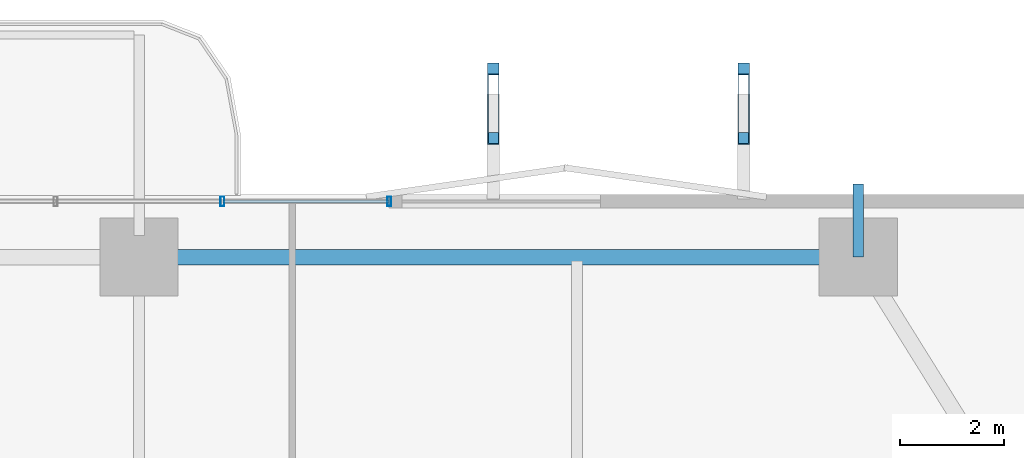
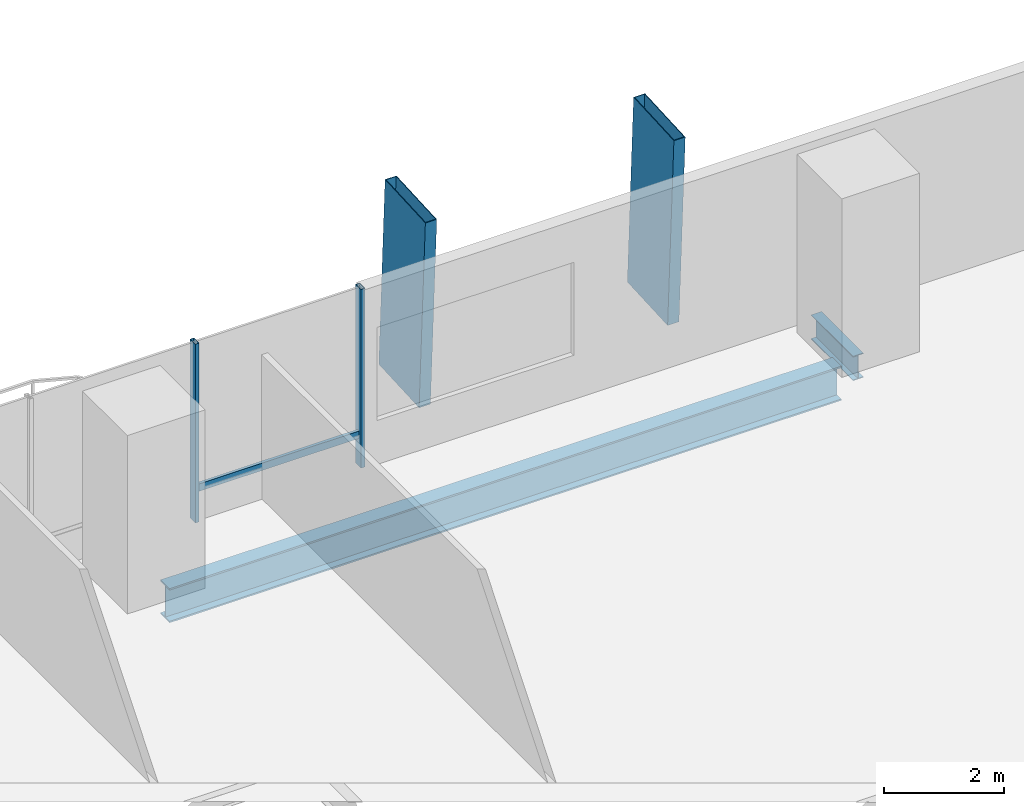
# One storey, part 15 of 24: 5 members, 2 beams, 1 element without a shape of its own.
"""IFC4 building model written with IfcOpenShell, lengths in metres."""

import ifcopenshell
import ifcopenshell.guid

model = None  # the IFC model being written
_history = None  # IfcOwnerHistory: only IFC2X3 demands one
_inside = {}  # id of a spatial element -> (the spatial element, [elements in it])
_under = {}  # id of a project, library or spatial element -> (it, [spatial elements below it])
_declared = {}  # id of a project -> (the project, [libraries it declares])
_typed = {}  # id of a type object -> (the type object, [elements of that type])
_made_of = {}  # id of a material, layer set ... -> (it, [elements and type objects made of it])


def new_model(schema):
    """Start an empty IFC model of exactly this schema.

    Asked for "IFC4X3", IfcOpenShell would pick the latest addendum, in which some entities
    have other attributes; the version numbers below select the first issue.
    IFC2X3 requires an IfcOwnerHistory on every rooted entity: one is made here for all.
    """
    global model, _history
    if schema == "IFC4X3":
        model = ifcopenshell.file(schema_version=(4, 3, 0, 0))
    else:
        model = ifcopenshell.file(schema=schema)
    _inside.clear()
    _under.clear()
    _declared.clear()
    _typed.clear()
    _made_of.clear()
    _history = None
    if model.schema == "IFC2X3":
        org = make("IfcOrganization", Name="unknown")
        user = make(
            "IfcPersonAndOrganization",
            ThePerson=make("IfcPerson", FamilyName="unknown"),
            TheOrganization=org,
        )
        app = make(
            "IfcApplication",
            ApplicationDeveloper=org,
            Version="unknown",
            ApplicationFullName="unknown",
            ApplicationIdentifier="unknown",
        )
        _history = make(
            "IfcOwnerHistory",
            OwningUser=user,
            OwningApplication=app,
            ChangeAction="ADDED",
            CreationDate=0,
        )
    return model


def make(cls, **values):
    """One entity of the class cls with the attributes given. An attribute that is None is left unset."""
    return model.create_entity(
        cls, **{name: value for name, value in values.items() if value is not None}
    )


def rooted(cls, **values):
    """An entity with a GlobalId (a new one), such as an element, a storey or a relation."""
    return make(cls, GlobalId=ifcopenshell.guid.new(), OwnerHistory=_history, **values)


def si_unit(unit_type, name, prefix=None):
    """IfcSIUnit, for example si_unit("LENGTHUNIT", "METRE", prefix="MILLI")."""
    return make("IfcSIUnit", UnitType=unit_type, Prefix=prefix, Name=name)


def assignment(units):
    """IfcUnitAssignment: the units of a project."""
    return None if units is None else make("IfcUnitAssignment", Units=units)


def point(xyz):
    """IfcCartesianPoint."""
    return None if xyz is None else make("IfcCartesianPoint", Coordinates=xyz)


def direction(xyz):
    """IfcDirection."""
    return None if xyz is None else make("IfcDirection", DirectionRatios=xyz)


def frame(location, z_axis=None, x_axis=None):
    """IfcAxis2Placement3D, a coordinate frame: its origin and axes. An axis left out is left unset."""
    return make(
        "IfcAxis2Placement3D",
        Location=point(location),
        Axis=direction(z_axis),
        RefDirection=direction(x_axis),
    )


def frame_2d(location, x_axis=None):
    """IfcAxis2Placement2D, a coordinate frame in the plane: its origin and x axis."""
    return make(
        "IfcAxis2Placement2D", Location=point(location), RefDirection=direction(x_axis)
    )


def origin():
    """The frame at (0, 0, 0) with its axes left unset."""
    return frame((0.0, 0.0, 0.0))


def origin_2d():
    """The frame at (0, 0) in the plane with its x axis left unset."""
    return frame_2d((0.0, 0.0))


def place(relative_to, where):
    """IfcLocalPlacement: puts the frame where relative to a parent placement (None: the world)."""
    return make(
        "IfcLocalPlacement", PlacementRelTo=relative_to, RelativePlacement=where
    )


def context(
    kind, dimensions, precision=None, world=None, true_north=None, identifier=None
):
    """IfcGeometricRepresentationContext, for example the 3D "Model" context."""
    return make(
        "IfcGeometricRepresentationContext",
        ContextIdentifier=identifier,
        ContextType=kind,
        CoordinateSpaceDimension=dimensions,
        Precision=precision,
        WorldCoordinateSystem=world,
        TrueNorth=true_north,
    )


def subcontext(parent, identifier, kind, view, scale=None):
    """IfcGeometricRepresentationSubContext, for example "Body" below "Model"."""
    return make(
        "IfcGeometricRepresentationSubContext",
        ContextIdentifier=identifier,
        ContextType=kind,
        ParentContext=parent,
        TargetScale=scale,
        TargetView=view,
    )


def project(units=None, contexts=None):
    """IfcProject with its units and contexts."""
    return rooted(
        "IfcProject",
        Name="project",
        RepresentationContexts=contexts,
        UnitsInContext=assignment(units),
    )


def spatial(cls, under=None, at=None, **own):
    """A site, building, storey or space (cls), placed at a placement, below another one or the project."""
    s = rooted(cls, ObjectPlacement=at, **own)
    if under is not None:
        _under.setdefault(under.id(), (under, []))[1].append(s)
    return s


def profile(cls, at=None, kind="AREA", **sizes):
    """A parametric profile (cls). Its sizes go by their IFC names, for example OverallWidth=200.0."""
    return make(cls, ProfileType=kind, Position=at, **sizes)


def hollow_rectangle(**sizes):
    """IfcRectangleHollowProfileDef."""
    return profile("IfcRectangleHollowProfileDef", **sizes)


def i_section(**sizes):
    """IfcIShapeProfileDef."""
    return profile("IfcIShapeProfileDef", **sizes)


def extrude(swept, where, along, depth):
    """IfcExtrudedAreaSolid: the profile swept, set in the frame where, extruded along a direction by depth."""
    return make(
        "IfcExtrudedAreaSolid",
        SweptArea=swept,
        Position=where,
        ExtrudedDirection=direction(along),
        Depth=depth,
    )


def shape(context_of_items, identifier, shape_type, items):
    """IfcShapeRepresentation: the items that make up one representation, for example the "Body"."""
    return make(
        "IfcShapeRepresentation",
        ContextOfItems=context_of_items,
        RepresentationIdentifier=identifier,
        RepresentationType=shape_type,
        Items=items,
    )


def material(Name=None, Category=None):
    """IfcMaterial."""
    return make("IfcMaterial", Name=Name, Category=Category)


def layer(
    of_material, thickness, ventilated=None, Name=None, Category=None, Priority=None
):
    """IfcMaterialLayer: one layer of a wall or slab, of a material (None: an air gap)."""
    return make(
        "IfcMaterialLayer",
        Material=of_material,
        LayerThickness=thickness,
        IsVentilated=ventilated,
        Name=Name,
        Category=Category,
        Priority=Priority,
    )


def layer_set(layers, Name=None):
    """IfcMaterialLayerSet."""
    return make("IfcMaterialLayerSet", MaterialLayers=layers, LayerSetName=Name)


def material_profile(
    of_material, cross_section, Name=None, Category=None, Priority=None
):
    """IfcMaterialProfile: a cross section and its material."""
    return make(
        "IfcMaterialProfile",
        Name=Name,
        Material=of_material,
        Profile=cross_section,
        Priority=Priority,
        Category=Category,
    )


def profile_set(profiles, Name=None, composite=None):
    """IfcMaterialProfileSet."""
    return make(
        "IfcMaterialProfileSet",
        Name=Name,
        MaterialProfiles=profiles,
        CompositeProfile=composite,
    )


def made_of(thing, what):
    """Note that an element or type object is made of a material, layer set ...; save() writes the relation."""
    if what is not None:
        _made_of.setdefault(what.id(), (what, []))[1].append(thing)
    return thing


def type_object(cls, material=None, **own):
    """A type object (cls), such as IfcWallType, which elements share."""
    return made_of(rooted(cls, **own), material)


def element(
    cls,
    number,
    at=None,
    inside=None,
    cuts=None,
    type_object=None,
    material=None,
    context=None,
    identifier="Body",
    shape_type=None,
    held_by="IfcProductDefinitionShape",
    body=None,
    shapes=None,
    **own,
):
    """One element of the class cls, such as IfcWall. Its Tag is "e" and its number.

    at: its placement. inside: the storey or other place that contains it. cuts: it is an
    opening in that element (IfcRelVoidsElement). A single representation is given by context,
    identifier, shape_type and body (its items); several are given by shapes. held_by: the class
    of the entity that holds the representations. save() writes the other relations.
    """
    e = rooted(cls, Tag="e%d" % number, ObjectPlacement=at, **own)
    if body is not None:
        shapes = [shape(context, identifier, shape_type, body)]
    if shapes is not None:
        e.Representation = make(held_by, Representations=shapes)
    if inside is not None:
        _inside.setdefault(inside.id(), (inside, []))[1].append(e)
    if cuts is not None:
        rooted(
            "IfcRelVoidsElement", RelatingBuildingElement=cuts, RelatedOpeningElement=e
        )
    if type_object is not None:
        _typed.setdefault(type_object.id(), (type_object, []))[1].append(e)
    return made_of(e, material)


def aggregate(whole, parts):
    """IfcRelAggregates: a whole, such as a stair, and the parts it consists of."""
    return rooted("IfcRelAggregates", RelatingObject=whole, RelatedObjects=parts)


def save(model, path):
    """Write the relations noted so far, then the file.

    IfcRelAggregates (storeys below a building ...), IfcRelContainedInSpatialStructure (elements
    in a storey), IfcRelDefinesByType, IfcRelAssociatesMaterial and IfcRelDeclares: one each for
    every whole, place, type object, material and project.
    """
    for whole, parts in _under.values():
        aggregate(whole, parts)
    for where, things in _inside.values():
        rooted(
            "IfcRelContainedInSpatialStructure",
            RelatedElements=things,
            RelatingStructure=where,
        )
    for kind, things in _typed.values():
        rooted("IfcRelDefinesByType", RelatedObjects=things, RelatingType=kind)
    for what, things in _made_of.values():
        rooted("IfcRelAssociatesMaterial", RelatedObjects=things, RelatingMaterial=what)
    for by, libraries in _declared.values():
        rooted("IfcRelDeclares", RelatingContext=by, RelatedDefinitions=libraries)
    model.write(path)


model = new_model("IFC4")

# Units and contexts
model_context = context("Model", 3, precision=1e-05, world=origin(), true_north=direction((0.0, 1.0)))
body_context = subcontext(model_context, "Body", "Model", "MODEL_VIEW")
ifc_project = project(units=[si_unit("LENGTHUNIT", "METRE"), si_unit("AREAUNIT", "SQUARE_METRE"), si_unit("VOLUMEUNIT", "CUBIC_METRE"), si_unit("PLANEANGLEUNIT", "RADIAN"), si_unit("MASSUNIT", "GRAM", prefix="KILO")], contexts=[model_context])

# Site, building, storey
site_placement = place(None, origin())
site = spatial("IfcSite", under=ifc_project, at=site_placement, CompositionType="ELEMENT")
building_placement = place(site_placement, origin())
building = spatial("IfcBuilding", under=site, at=building_placement, Name="Belovzor Exchange Tower", CompositionType="ELEMENT")
storey_placement = place(building_placement, frame((0.0, 0.0, 61.199951171875)))
storey = spatial("IfcBuildingStorey", under=building, at=storey_placement, Name="L14", CompositionType="ELEMENT", Elevation=61.199951171875)

# Members
ifc_material_1 = material(Name="Extruded Architectural Terracotta on Steel S355 Carrier", Category="masonry")
ifc_material_profile_1 = material_profile(ifc_material_1, hollow_rectangle(XDim=0.219970703125, YDim=1.35009765625, WallThickness=0.013916015625, at=origin_2d()))
ifc_profile_set_1 = profile_set([ifc_material_profile_1], Name="Extruded Architectural Terracotta on Steel S355 Carrier")
member_type_1 = type_object("IfcMemberType", Name="Base Arc Sweeping Terracotta Pylon Fin 1450", PredefinedType="USERDEFINED", material=ifc_profile_set_1)
for number, where, z_axis, x_axis, name in (
    (1, (35.60009765625, 58.549072265625, -0.25), (0.0, -0.053756276307, 0.998554086045), (1.0, 0.0, 0.0), "FIN-TC145 Terracotta Facade Fin L14 N3"),
    (2, (40.39990234375, 58.549072265625, -0.25), (0.0, -0.053756276307, 0.998554086045), (1.0, 0.0, 0.0), "FIN-TC145 Terracotta Facade Fin L14 N4"),
):
    element("IfcMember", number, at=place(storey_placement, frame(where, z_axis=z_axis, x_axis=x_axis)), inside=storey, type_object=member_type_1, Name=name, ObjectType="FIN", PredefinedType="USERDEFINED", context=body_context, shape_type="SweptSolid", body=[
        extrude(hollow_rectangle(XDim=0.219970703125, YDim=1.35009765625, WallThickness=0.013916015625, at=origin_2d()), origin(), (0.0, 0.0, 1.0), 3.90576171875),
    ])

# Beam
ifc_material_2 = material(Name="Steel S355", Category="steel")
ifc_material_profile_2 = material_profile(ifc_material_2, i_section(OverallWidth=0.199951171875, OverallDepth=0.5, WebThickness=0.01025390625, FlangeThickness=0.01611328125, at=origin_2d()))
ifc_profile_set_2 = profile_set([ifc_material_profile_2], Name="Steel S355")
beam_type_1 = type_object("IfcBeamType", Name="Planted Balcony Cantilever Beam IPE 500", PredefinedType="BEAM", material=ifc_profile_set_2)
beam_1_placement = place(storey_placement, frame((42.60009765625, 55.5, -0.5), z_axis=(0.0, 1.0, 0.0), x_axis=(-1.0, 0.0, 0.0)))
element("IfcBeam", 3, at=beam_1_placement, inside=storey, type_object=beam_type_1, Name="BC-500 Planted Balcony Cantilever Beam IPE 500", PredefinedType="BEAM", context=body_context, shape_type="SweptSolid", body=[
    extrude(i_section(OverallWidth=0.199951171875, OverallDepth=0.5, WebThickness=0.01025390625, FlangeThickness=0.01611328125, at=origin_2d()), origin(), (0.0, 0.0, 1.0), 1.39990234375),
])

# Curtain wall, members
ifc_material_3 = material(Name="Anodised Aluminium Framing", Category="aluminium")
ifc_layer = layer(ifc_material_3, 0.179931640625)
ifc_layer_set = layer_set([ifc_layer], Name="Anodised Aluminium Framing")
curtain_wall_type = type_object("IfcCurtainWallType", Name="Recessed Loggia Low-Iron Triple-Glazed Curtain Wall", PredefinedType="NOTDEFINED", material=ifc_layer_set)
curtain_wall_placement = place(storey_placement, origin())
curtain_wall = element("IfcCurtainWall", 4, at=curtain_wall_placement, inside=storey, type_object=curtain_wall_type, Name="CW3 Recessed Loggia Low-Iron Triple-Glazed Curtain Wall L14", PredefinedType="NOTDEFINED")
ifc_material_4 = material(Name="Steel S355", Category="steel")
ifc_material_profile_3 = material_profile(ifc_material_4, hollow_rectangle(XDim=0.074951171875, YDim=0.179931640625, WallThickness=0.0048828125, at=origin_2d()))
ifc_profile_set_3 = profile_set([ifc_material_profile_3], Name="Steel S355")
member_type_2 = type_object("IfcMemberType", Name="Thermally Broken Curtain Wall Mullion 180x75", PredefinedType="MULLION", material=ifc_profile_set_3)
member_1_placement = place(storey_placement, frame((30.39990234375, 56.570068359375, 0.0), z_axis=(0.0, 0.0, 1.0), x_axis=(1.0, 0.0, 0.0)))
member_1 = element("IfcMember", 5, at=member_1_placement, type_object=member_type_2, Name="CW-M180 Curtain Wall Mullion 3", PredefinedType="MULLION", context=body_context, shape_type="SweptSolid", body=[
    extrude(hollow_rectangle(XDim=0.074951171875, YDim=0.179931640625, WallThickness=0.0048828125, at=origin_2d()), origin(), (0.0, 0.0, 1.0), 3.650146484375),
])
member_2_placement = place(storey_placement, frame((33.60009765625, 56.570068359375, 0.0), z_axis=(0.0, 0.0, 1.0), x_axis=(1.0, 0.0, 0.0)))
member_2 = element("IfcMember", 6, at=member_2_placement, type_object=member_type_2, Name="CW-M180 Curtain Wall Mullion 4", PredefinedType="MULLION", context=body_context, shape_type="SweptSolid", body=[
    extrude(hollow_rectangle(XDim=0.074951171875, YDim=0.179931640625, WallThickness=0.0048828125, at=origin_2d()), origin(), (0.0, 0.0, 1.0), 3.650146484375),
])
ifc_material_5 = material(Name="Steel S355", Category="steel")
ifc_material_profile_4 = material_profile(ifc_material_5, hollow_rectangle(XDim=0.06005859375, YDim=0.14990234375, WallThickness=0.00390625, at=origin_2d()))
ifc_profile_set_4 = profile_set([ifc_material_profile_4], Name="Steel S355")
member_type_3 = type_object("IfcMemberType", Name="Thermally Broken Curtain Wall Transom 150x60", PredefinedType="USERDEFINED", material=ifc_profile_set_4)
member_3_placement = place(storey_placement, frame((30.407958984375, 56.570068359375, 0.650146484375), z_axis=(1.0, 0.0, 0.0), x_axis=(0.0, 1.0, 0.0)))
member_3 = element("IfcMember", 7, at=member_3_placement, type_object=member_type_3, Name="CW-T150 Curtain Wall Transom 3", ObjectType="TRANSOM", PredefinedType="USERDEFINED", context=body_context, shape_type="SweptSolid", body=[
    extrude(hollow_rectangle(XDim=0.06005859375, YDim=0.14990234375, WallThickness=0.00390625, at=origin_2d()), origin(), (0.0, 0.0, 1.0), 3.18408203125),
])
aggregate(curtain_wall, [member_1, member_2, member_3])

# Beam
ifc_material_6 = material(Name="Steel S355", Category="steel")
ifc_material_profile_5 = material_profile(ifc_material_6, i_section(OverallWidth=0.300048828125, OverallDepth=0.699951171875, WebThickness=0.01708984375, FlangeThickness=0.031982421875, at=origin_2d()))
ifc_profile_set_5 = profile_set([ifc_material_profile_5], Name="Steel S355")
beam_type_2 = type_object("IfcBeamType", Name="Zone 1 Primary Perimeter Girder HEB 700", PredefinedType="BEAM", material=ifc_profile_set_5)
beam_2_placement = place(storey_placement, frame((42.18798828125, 55.5, -0.599853515625), z_axis=(-1.0, 0.0, 0.0), x_axis=(0.0, -1.0, 0.0)))
element("IfcBeam", 8, at=beam_2_placement, inside=storey, type_object=beam_type_2, Name="FG-Z1 Zone 1 Primary Perimeter Girder HEB 700", PredefinedType="BEAM", context=body_context, shape_type="SweptSolid", body=[
    extrude(i_section(OverallWidth=0.300048828125, OverallDepth=0.699951171875, WebThickness=0.01708984375, FlangeThickness=0.031982421875, at=origin_2d()), origin(), (0.0, 0.0, 1.0), 12.97509765625),
])

save(model, "model.ifc")
